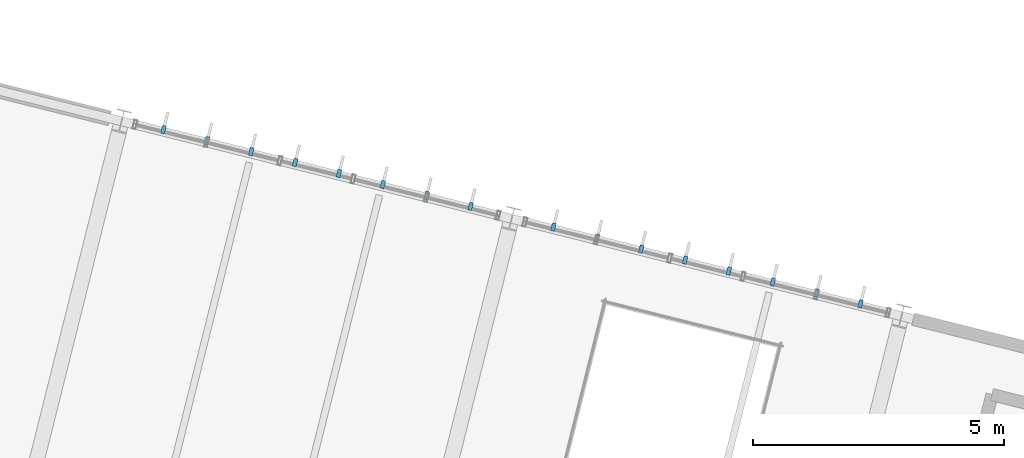
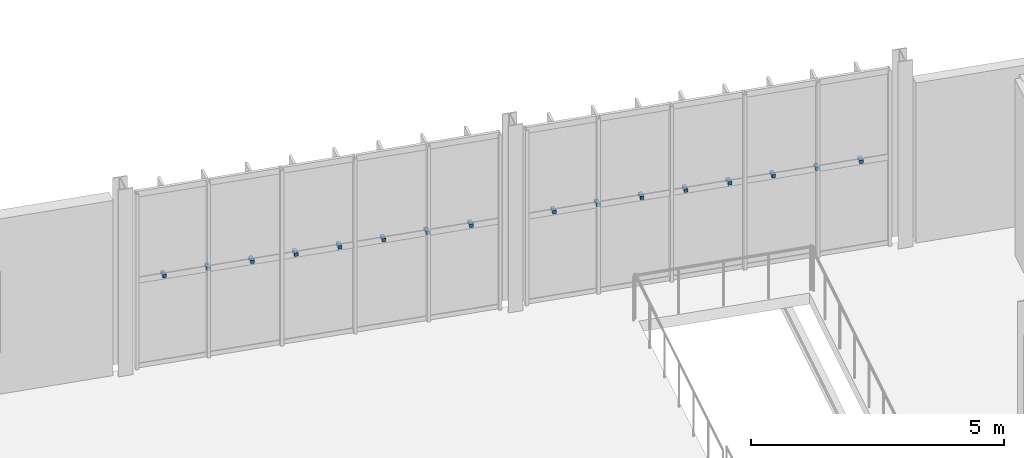
# One storey, part 138 of 152: 16 discrete accessories.
"""IFC4 building model written with IfcOpenShell, lengths in metres."""

from ifc_helpers import new_model, si_unit, derived_unit, direction, frame, origin, origin_2d, place, context, subcontext, project, spatial, rectangle, extrude, material, type_object, element, save


model = new_model("IFC4")

# Units and contexts
model_context = context("Model", 3, precision=1e-05, world=origin(), true_north=direction((0.0, 1.0)))
body_context = subcontext(model_context, "Body", "Model", "MODEL_VIEW")
ifc_project = project(units=[si_unit("LENGTHUNIT", "METRE"), si_unit("AREAUNIT", "SQUARE_METRE"), si_unit("VOLUMEUNIT", "CUBIC_METRE"), si_unit("PLANEANGLEUNIT", "RADIAN"), si_unit("MASSUNIT", "GRAM", prefix="KILO"), si_unit("THERMODYNAMICTEMPERATUREUNIT", "KELVIN"), si_unit("TIMEUNIT", "SECOND"), derived_unit("THERMALTRANSMITTANCEUNIT", [(si_unit("MASSUNIT", "GRAM", prefix="KILO"), 1), (si_unit("THERMODYNAMICTEMPERATUREUNIT", "KELVIN"), -1), (si_unit("TIMEUNIT", "SECOND"), -3)])], contexts=[model_context])

# Site, building, storey
site_placement = place(None, origin())
site = spatial("IfcSite", under=ifc_project, at=site_placement, CompositionType="ELEMENT")
building_placement = place(site_placement, origin())
building = spatial("IfcBuilding", under=site, at=building_placement, Name="Cambertide Market Hall", CompositionType="ELEMENT")
storey_placement = place(building_placement, frame((0.0, 0.0, 5.39990234375)))
storey = spatial("IfcBuildingStorey", under=building, at=storey_placement, Name="L02", CompositionType="ELEMENT", Elevation=5.39990234375)

# Discrete accessories
ifc_material = material(Name="Stainless Steel Grade 316", Category="metal")
discrete_accessory_type = type_object("IfcDiscreteAccessoryType", Name="Stainless Fin Outrigger Tie Bracket", PredefinedType="BRACKET", material=ifc_material)
for number, where, z_axis, x_axis, name in (
    (1, (123.14404296875, 124.086181640625, 2.070068359375), (0.0, 0.0, 1.0), (0.970142500145, -0.242535625038, 0.0), "CW-V4N-L02-2 Fin Tie Bracket 1"),
    (2, (124.01708984375, 123.867919921875, 2.070068359375), (0.0, 0.0, 1.0), (0.970142500145, -0.242535625038, 0.0), "CW-V4N-L02-2 Fin Tie Bracket 2"),
    (3, (124.89013671875, 123.649658203125, 2.070068359375), (0.0, 0.0, 1.0), (0.970142500145, -0.242535625038, 0.0), "CW-V4N-L02-2 Fin Tie Bracket 3"),
    (4, (125.763427734375, 123.431396484375, 2.070068359375), (0.0, 0.0, 1.0), (0.970142500145, -0.242535625038, 0.0), "CW-V4N-L02-2 Fin Tie Bracket 4"),
    (5, (126.636474609375, 123.213134765625, 2.070068359375), (0.0, 0.0, 1.0), (0.970142500145, -0.242535625038, 0.0), "CW-V4N-L02-2 Fin Tie Bracket 5"),
    (6, (127.509521484375, 122.994873046875, 2.070068359375), (0.0, 0.0, 1.0), (0.970142500145, -0.242535625038, 0.0), "CW-V4N-L02-2 Fin Tie Bracket 6"),
    (7, (128.3828125, 122.776611328125, 2.070068359375), (0.0, 0.0, 1.0), (0.970142500145, -0.242535625038, 0.0), "CW-V4N-L02-2 Fin Tie Bracket 7"),
    (8, (129.255859375, 122.558349609375, 2.070068359375), (0.0, 0.0, 1.0), (0.970142500145, -0.242535625038, 0.0), "CW-V4N-L02-2 Fin Tie Bracket 8"),
    (9, (130.905029296875, 122.14599609375, 2.070068359375), (0.0, 0.0, 1.0), (0.970142500145, -0.242535625038, 0.0), "CW-V4N-L02-3 Fin Tie Bracket 1"),
    (10, (131.778076171875, 121.927734375, 2.070068359375), (0.0, 0.0, 1.0), (0.970142500145, -0.242535625038, 0.0), "CW-V4N-L02-3 Fin Tie Bracket 2"),
    (11, (132.6513671875, 121.70947265625, 2.070068359375), (0.0, 0.0, 1.0), (0.970142500145, -0.242535625038, 0.0), "CW-V4N-L02-3 Fin Tie Bracket 3"),
    (12, (133.5244140625, 121.490966796875, 2.070068359375), (0.0, 0.0, 1.0), (0.970142500145, -0.242535625038, 0.0), "CW-V4N-L02-3 Fin Tie Bracket 4"),
    (13, (134.3974609375, 121.272705078125, 2.070068359375), (0.0, 0.0, 1.0), (0.970142500145, -0.242535625038, 0.0), "CW-V4N-L02-3 Fin Tie Bracket 5"),
    (14, (135.270751953125, 121.054443359375, 2.070068359375), (0.0, 0.0, 1.0), (0.970142500145, -0.242535625038, 0.0), "CW-V4N-L02-3 Fin Tie Bracket 6"),
    (15, (136.143798828125, 120.836181640625, 2.070068359375), (0.0, 0.0, 1.0), (0.970142500145, -0.242535625038, 0.0), "CW-V4N-L02-3 Fin Tie Bracket 7"),
    (16, (137.016845703125, 120.617919921875, 2.070068359375), (0.0, 0.0, 1.0), (0.970142500145, -0.242535625038, 0.0), "CW-V4N-L02-3 Fin Tie Bracket 8"),
):
    element("IfcDiscreteAccessory", number, at=place(storey_placement, frame(where, z_axis=z_axis, x_axis=x_axis)), inside=storey, type_object=discrete_accessory_type, Name=name, PredefinedType="BRACKET", context=body_context, shape_type="SweptSolid", body=[
        extrude(rectangle(XDim=0.080078125, YDim=0.159912109375, at=origin_2d()), origin(), (0.0, 0.0, 1.0), 0.080078125),
    ])

save(model, "model.ifc")
